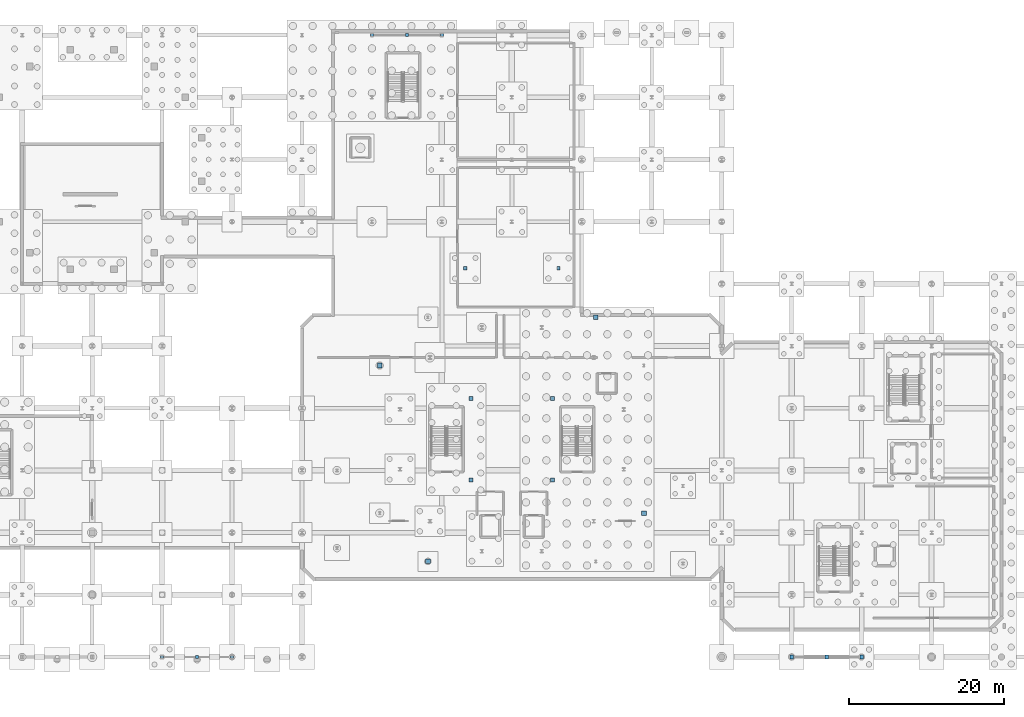
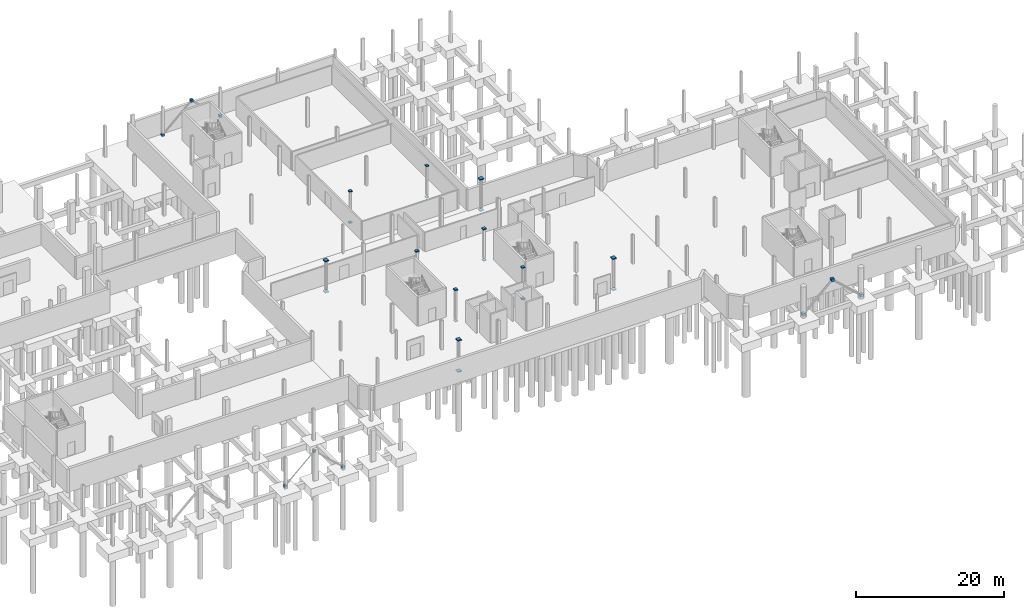
# One storey, part 32 of 37: 29 discrete accessories.
"""IFC4 building model written with IfcOpenShell, lengths in metres."""

from ifc_helpers import new_model, si_unit, direction, frame, origin, place, context, subcontext, project, spatial, polyline, outline, extrude, material, type_object, element, save


model = new_model("IFC4")

# Units and contexts
model_context = context("Model", 3, precision=1e-05, world=origin(), true_north=direction((0.0, 1.0)))
body_context = subcontext(model_context, "Body", "Model", "MODEL_VIEW")
ifc_project = project(units=[si_unit("LENGTHUNIT", "METRE"), si_unit("AREAUNIT", "SQUARE_METRE"), si_unit("VOLUMEUNIT", "CUBIC_METRE"), si_unit("PLANEANGLEUNIT", "RADIAN"), si_unit("MASSUNIT", "GRAM", prefix="KILO"), si_unit("THERMODYNAMICTEMPERATUREUNIT", "KELVIN"), si_unit("POWERUNIT", "WATT")], contexts=[model_context])

# Site, building, storey
site_placement = place(None, origin())
site = spatial("IfcSite", under=ifc_project, at=site_placement, CompositionType="ELEMENT")
building_placement = place(site_placement, origin())
building = spatial("IfcBuilding", under=site, at=building_placement, Name="Zelmaris Science Centre", CompositionType="ELEMENT")
storey_placement = place(building_placement, frame((0.0, 0.0, -4.800048828125)))
storey = spatial("IfcBuildingStorey", under=building, at=storey_placement, Name="B1", CompositionType="ELEMENT", Elevation=-4.800048828125)

# Discrete accessories
ifc_material = material(Name="Steel ASTM A500 Grade C", Category="steel")
discrete_accessory_type = type_object("IfcDiscreteAccessoryType", Name="Hollow Section End Cap Plate BK-ECP", PredefinedType="BRACKET", material=ifc_material)
discrete_accessory_1_placement = place(storey_placement, frame((0.0, 0.0, -0.43505859375)))
element("IfcDiscreteAccessory", 1, at=discrete_accessory_1_placement, inside=storey, type_object=discrete_accessory_type, Name="End cap plate 1", PredefinedType="BRACKET", context=body_context, shape_type="SweptSolid", body=[
    extrude(outline(polyline([(75.502197265625, 30.502197265625), (75.997802734375, 30.502197265625), (75.997802734375, 30.997802734375), (75.502197265625, 30.997802734375), (75.502197265625, 30.502197265625)])), origin(), (0.0, 0.0, 1.0), 0.158203125),
])
discrete_accessory_2_placement = place(storey_placement, frame((0.0, 0.0, 4.72705078125)))
element("IfcDiscreteAccessory", 2, at=discrete_accessory_2_placement, inside=storey, type_object=discrete_accessory_type, Name="End cap plate 2", PredefinedType="BRACKET", context=body_context, shape_type="SweptSolid", body=[
    extrude(outline(polyline([(75.502197265625, 30.502197265625), (75.997802734375, 30.502197265625), (75.997802734375, 30.997802734375), (75.502197265625, 30.997802734375), (75.502197265625, 30.502197265625)])), origin(), (0.0, 0.0, 1.0), 0.157958984375),
])
discrete_accessory_3_placement = place(storey_placement, frame((0.0, 0.0, -0.43505859375)))
element("IfcDiscreteAccessory", 3, at=discrete_accessory_3_placement, inside=storey, type_object=discrete_accessory_type, Name="End cap plate 9", PredefinedType="BRACKET", context=body_context, shape_type="SweptSolid", body=[
    extrude(outline(polyline([(86.002197265625, 30.502197265625), (86.497802734375, 30.502197265625), (86.497802734375, 30.997802734375), (86.002197265625, 30.997802734375), (86.002197265625, 30.502197265625)])), origin(), (0.0, 0.0, 1.0), 0.158203125),
])
discrete_accessory_4_placement = place(storey_placement, frame((0.0, 0.0, 4.72705078125)))
element("IfcDiscreteAccessory", 4, at=discrete_accessory_4_placement, inside=storey, type_object=discrete_accessory_type, Name="End cap plate 10", PredefinedType="BRACKET", context=body_context, shape_type="SweptSolid", body=[
    extrude(outline(polyline([(86.002197265625, 30.502197265625), (86.497802734375, 30.502197265625), (86.497802734375, 30.997802734375), (86.002197265625, 30.997802734375), (86.002197265625, 30.502197265625)])), origin(), (0.0, 0.0, 1.0), 0.157958984375),
])
discrete_accessory_5_placement = place(storey_placement, frame((0.0, 0.0, -0.43505859375)))
element("IfcDiscreteAccessory", 5, at=discrete_accessory_5_placement, inside=storey, type_object=discrete_accessory_type, Name="End cap plate 17", PredefinedType="BRACKET", context=body_context, shape_type="SweptSolid", body=[
    extrude(outline(polyline([(86.002197265625, 41.002197265625), (86.497802734375, 41.002197265625), (86.497802734375, 41.497802734375), (86.002197265625, 41.497802734375), (86.002197265625, 41.002197265625)])), origin(), (0.0, 0.0, 1.0), 0.158203125),
])
discrete_accessory_6_placement = place(storey_placement, frame((0.0, 0.0, 4.72705078125)))
element("IfcDiscreteAccessory", 6, at=discrete_accessory_6_placement, inside=storey, type_object=discrete_accessory_type, Name="End cap plate 18", PredefinedType="BRACKET", context=body_context, shape_type="SweptSolid", body=[
    extrude(outline(polyline([(86.002197265625, 41.002197265625), (86.497802734375, 41.002197265625), (86.497802734375, 41.497802734375), (86.002197265625, 41.497802734375), (86.002197265625, 41.002197265625)])), origin(), (0.0, 0.0, 1.0), 0.157958984375),
])
discrete_accessory_7_placement = place(storey_placement, frame((0.0, 0.0, -0.43505859375)))
element("IfcDiscreteAccessory", 7, at=discrete_accessory_7_placement, inside=storey, type_object=discrete_accessory_type, Name="End cap plate 25", PredefinedType="BRACKET", context=body_context, shape_type="SweptSolid", body=[
    extrude(outline(polyline([(75.502197265625, 41.002197265625), (75.997802734375, 41.002197265625), (75.997802734375, 41.497802734375), (75.502197265625, 41.497802734375), (75.502197265625, 41.002197265625)])), origin(), (0.0, 0.0, 1.0), 0.158203125),
])
discrete_accessory_8_placement = place(storey_placement, frame((0.0, 0.0, 4.72705078125)))
element("IfcDiscreteAccessory", 8, at=discrete_accessory_8_placement, inside=storey, type_object=discrete_accessory_type, Name="End cap plate 26", PredefinedType="BRACKET", context=body_context, shape_type="SweptSolid", body=[
    extrude(outline(polyline([(75.502197265625, 41.002197265625), (75.997802734375, 41.002197265625), (75.997802734375, 41.497802734375), (75.502197265625, 41.497802734375), (75.502197265625, 41.002197265625)])), origin(), (0.0, 0.0, 1.0), 0.157958984375),
])
discrete_accessory_9_placement = place(storey_placement, frame((0.0, 0.0, -0.43505859375)))
element("IfcDiscreteAccessory", 9, at=discrete_accessory_9_placement, inside=storey, type_object=discrete_accessory_type, Name="End cap plate 33", PredefinedType="BRACKET", context=body_context, shape_type="SweptSolid", body=[
    extrude(outline(polyline([(69.8955078125, 19.995361328125), (70.504638671875, 19.995361328125), (70.504638671875, 20.6044921875), (69.8955078125, 20.6044921875), (69.8955078125, 19.995361328125)])), origin(), (0.0, 0.0, 1.0), 0.158203125),
])
discrete_accessory_10_placement = place(storey_placement, frame((0.0, 0.0, 4.72705078125)))
element("IfcDiscreteAccessory", 10, at=discrete_accessory_10_placement, inside=storey, type_object=discrete_accessory_type, Name="End cap plate 34", PredefinedType="BRACKET", context=body_context, shape_type="SweptSolid", body=[
    extrude(outline(polyline([(69.8955078125, 19.995361328125), (70.504638671875, 19.995361328125), (70.504638671875, 20.6044921875), (69.8955078125, 20.6044921875), (69.8955078125, 19.995361328125)])), origin(), (0.0, 0.0, 1.0), 0.157958984375),
])
discrete_accessory_11_placement = place(storey_placement, frame((0.0, 0.0, -0.43505859375)))
element("IfcDiscreteAccessory", 11, at=discrete_accessory_11_placement, inside=storey, type_object=discrete_accessory_type, Name="End cap plate 35", PredefinedType="BRACKET", context=body_context, shape_type="SweptSolid", body=[
    extrude(outline(polyline([(97.6953125, 26.1953125), (98.3046875, 26.1953125), (98.3046875, 26.8046875), (97.6953125, 26.8046875), (97.6953125, 26.1953125)])), origin(), (0.0, 0.0, 1.0), 0.158203125),
])
discrete_accessory_12_placement = place(storey_placement, frame((0.0, 0.0, 4.72705078125)))
element("IfcDiscreteAccessory", 12, at=discrete_accessory_12_placement, inside=storey, type_object=discrete_accessory_type, Name="End cap plate 36", PredefinedType="BRACKET", context=body_context, shape_type="SweptSolid", body=[
    extrude(outline(polyline([(97.6953125, 26.1953125), (98.3046875, 26.1953125), (98.3046875, 26.8046875), (97.6953125, 26.8046875), (97.6953125, 26.1953125)])), origin(), (0.0, 0.0, 1.0), 0.157958984375),
])
discrete_accessory_13_placement = place(storey_placement, frame((0.0, 0.0, -0.43505859375)))
element("IfcDiscreteAccessory", 13, at=discrete_accessory_13_placement, inside=storey, type_object=discrete_accessory_type, Name="End cap plate 37", PredefinedType="BRACKET", context=body_context, shape_type="SweptSolid", body=[
    extrude(outline(polyline([(91.495361328125, 51.3955078125), (92.1044921875, 51.3955078125), (92.1044921875, 52.004638671875), (91.495361328125, 52.004638671875), (91.495361328125, 51.3955078125)])), origin(), (0.0, 0.0, 1.0), 0.158203125),
])
discrete_accessory_14_placement = place(storey_placement, frame((0.0, 0.0, 4.72705078125)))
element("IfcDiscreteAccessory", 14, at=discrete_accessory_14_placement, inside=storey, type_object=discrete_accessory_type, Name="End cap plate 38", PredefinedType="BRACKET", context=body_context, shape_type="SweptSolid", body=[
    extrude(outline(polyline([(91.495361328125, 51.3955078125), (92.1044921875, 51.3955078125), (92.1044921875, 52.004638671875), (91.495361328125, 52.004638671875), (91.495361328125, 51.3955078125)])), origin(), (0.0, 0.0, 1.0), 0.157958984375),
])
discrete_accessory_15_placement = place(storey_placement, frame((0.0, 0.0, -0.43505859375)))
element("IfcDiscreteAccessory", 15, at=discrete_accessory_15_placement, inside=storey, type_object=discrete_accessory_type, Name="End cap plate 39", PredefinedType="BRACKET", context=body_context, shape_type="SweptSolid", body=[
    extrude(outline(polyline([(63.6953125, 45.1953125), (64.3046875, 45.1953125), (64.3046875, 45.8046875), (63.6953125, 45.8046875), (63.6953125, 45.1953125)])), origin(), (0.0, 0.0, 1.0), 0.158203125),
])
discrete_accessory_16_placement = place(storey_placement, frame((0.0, 0.0, 4.72705078125)))
element("IfcDiscreteAccessory", 16, at=discrete_accessory_16_placement, inside=storey, type_object=discrete_accessory_type, Name="End cap plate 40", PredefinedType="BRACKET", context=body_context, shape_type="SweptSolid", body=[
    extrude(outline(polyline([(63.6953125, 45.1953125), (64.3046875, 45.1953125), (64.3046875, 45.8046875), (63.6953125, 45.8046875), (63.6953125, 45.1953125)])), origin(), (0.0, 0.0, 1.0), 0.157958984375),
])
discrete_accessory_17_placement = place(storey_placement, frame((0.0, 0.0, -0.43505859375)))
element("IfcDiscreteAccessory", 17, at=discrete_accessory_17_placement, inside=storey, type_object=discrete_accessory_type, Name="End cap plate 41", PredefinedType="BRACKET", context=body_context, shape_type="SweptSolid", body=[
    extrude(outline(polyline([(74.78076171875, 57.78076171875), (75.21923828125, 57.78076171875), (75.21923828125, 58.21923828125), (74.78076171875, 58.21923828125), (74.78076171875, 57.78076171875)])), origin(), (0.0, 0.0, 1.0), 0.158203125),
])
discrete_accessory_18_placement = place(storey_placement, frame((0.0, 0.0, 4.72705078125)))
element("IfcDiscreteAccessory", 18, at=discrete_accessory_18_placement, inside=storey, type_object=discrete_accessory_type, Name="End cap plate 42", PredefinedType="BRACKET", context=body_context, shape_type="SweptSolid", body=[
    extrude(outline(polyline([(74.78076171875, 57.78076171875), (75.21923828125, 57.78076171875), (75.21923828125, 58.21923828125), (74.78076171875, 58.21923828125), (74.78076171875, 57.78076171875)])), origin(), (0.0, 0.0, 1.0), 0.157958984375),
])
discrete_accessory_19_placement = place(storey_placement, frame((0.0, 0.0, -0.43505859375)))
element("IfcDiscreteAccessory", 19, at=discrete_accessory_19_placement, inside=storey, type_object=discrete_accessory_type, Name="End cap plate 49", PredefinedType="BRACKET", context=body_context, shape_type="SweptSolid", body=[
    extrude(outline(polyline([(86.78076171875, 57.78076171875), (87.21923828125, 57.78076171875), (87.21923828125, 58.21923828125), (86.78076171875, 58.21923828125), (86.78076171875, 57.78076171875)])), origin(), (0.0, 0.0, 1.0), 0.158203125),
])
discrete_accessory_20_placement = place(storey_placement, frame((0.0, 0.0, 4.72705078125)))
element("IfcDiscreteAccessory", 20, at=discrete_accessory_20_placement, inside=storey, type_object=discrete_accessory_type, Name="End cap plate 50", PredefinedType="BRACKET", context=body_context, shape_type="SweptSolid", body=[
    extrude(outline(polyline([(86.78076171875, 57.78076171875), (87.21923828125, 57.78076171875), (87.21923828125, 58.21923828125), (86.78076171875, 58.21923828125), (86.78076171875, 57.78076171875)])), origin(), (0.0, 0.0, 1.0), 0.157958984375),
])
discrete_accessory_21_placement = place(storey_placement, frame((0.0, 0.0, -0.113037109375)))
element("IfcDiscreteAccessory", 21, at=discrete_accessory_21_placement, inside=storey, type_object=discrete_accessory_type, Name="End cap plate 563", PredefinedType="BRACKET", context=body_context, shape_type="SweptSolid", body=[
    extrude(outline(polyline([(35.806640625, 7.81103515625), (36.1845703125, 7.81103515625), (36.1845703125, 8.18896484375), (35.806640625, 8.18896484375), (35.806640625, 7.81103515625)])), origin(), (0.0, 0.0, 1.0), 0.3779296875),
])
discrete_accessory_22_placement = place(storey_placement, frame((0.0, 0.0, 4.01513671875)))
element("IfcDiscreteAccessory", 22, at=discrete_accessory_22_placement, inside=storey, type_object=discrete_accessory_type, Name="End cap plate 564", PredefinedType="BRACKET", context=body_context, shape_type="SweptSolid", body=[
    extrude(outline(polyline([(40.3154296875, 7.81103515625), (40.693359375, 7.81103515625), (40.693359375, 8.18896484375), (40.3154296875, 8.18896484375), (40.3154296875, 7.81103515625)])), origin(), (0.0, 0.0, 1.0), 0.3779296875),
])
discrete_accessory_23_placement = place(storey_placement, frame((0.0, 0.0, -0.113037109375)))
element("IfcDiscreteAccessory", 23, at=discrete_accessory_23_placement, inside=storey, type_object=discrete_accessory_type, Name="End cap plate 565", PredefinedType="BRACKET", context=body_context, shape_type="SweptSolid", body=[
    extrude(outline(polyline([(44.8154296875, 7.81103515625), (45.193359375, 7.81103515625), (45.193359375, 8.18896484375), (44.8154296875, 8.18896484375), (44.8154296875, 7.81103515625)])), origin(), (0.0, 0.0, 1.0), 0.3779296875),
])
discrete_accessory_24_placement = place(storey_placement, frame((0.0, 0.0, -0.154052734375)))
element("IfcDiscreteAccessory", 24, at=discrete_accessory_24_placement, inside=storey, type_object=discrete_accessory_type, Name="End cap plate 572", PredefinedType="BRACKET", context=body_context, shape_type="SweptSolid", body=[
    extrude(outline(polyline([(116.765625, 7.77001953125), (117.2255859375, 7.77001953125), (117.2255859375, 8.22998046875), (116.765625, 8.22998046875), (116.765625, 7.77001953125)])), origin(), (0.0, 0.0, 1.0), 0.4599609375),
])
discrete_accessory_25_placement = place(storey_placement, frame((0.0, 0.0, 3.974365234375)))
element("IfcDiscreteAccessory", 25, at=discrete_accessory_25_placement, inside=storey, type_object=discrete_accessory_type, Name="End cap plate 573", PredefinedType="BRACKET", context=body_context, shape_type="SweptSolid", body=[
    extrude(outline(polyline([(121.2744140625, 7.77001953125), (121.734375, 7.77001953125), (121.734375, 8.22998046875), (121.2744140625, 8.22998046875), (121.2744140625, 7.77001953125)])), origin(), (0.0, 0.0, 1.0), 0.459716796875),
])
discrete_accessory_26_placement = place(storey_placement, frame((0.0, 0.0, -0.154052734375)))
element("IfcDiscreteAccessory", 26, at=discrete_accessory_26_placement, inside=storey, type_object=discrete_accessory_type, Name="End cap plate 574", PredefinedType="BRACKET", context=body_context, shape_type="SweptSolid", body=[
    extrude(outline(polyline([(125.7744140625, 7.77001953125), (126.234375, 7.77001953125), (126.234375, 8.22998046875), (125.7744140625, 8.22998046875), (125.7744140625, 7.77001953125)])), origin(), (0.0, 0.0, 1.0), 0.4599609375),
])
discrete_accessory_27_placement = place(storey_placement, frame((0.0, 0.0, -0.123779296875)))
element("IfcDiscreteAccessory", 27, at=discrete_accessory_27_placement, inside=storey, type_object=discrete_accessory_type, Name="End cap plate 575", PredefinedType="BRACKET", context=body_context, shape_type="SweptSolid", body=[
    extrude(outline(polyline([(62.7958984375, 87.80029296875), (63.1953125, 87.80029296875), (63.1953125, 88.19970703125), (62.7958984375, 88.19970703125), (62.7958984375, 87.80029296875)])), origin(), (0.0, 0.0, 1.0), 0.3994140625),
])
discrete_accessory_28_placement = place(storey_placement, frame((0.0, 0.0, 4.00439453125)))
element("IfcDiscreteAccessory", 28, at=discrete_accessory_28_placement, inside=storey, type_object=discrete_accessory_type, Name="End cap plate 576", PredefinedType="BRACKET", context=body_context, shape_type="SweptSolid", body=[
    extrude(outline(polyline([(67.3046875, 87.80029296875), (67.7041015625, 87.80029296875), (67.7041015625, 88.19970703125), (67.3046875, 88.19970703125), (67.3046875, 87.80029296875)])), origin(), (0.0, 0.0, 1.0), 0.3994140625),
])
discrete_accessory_29_placement = place(storey_placement, frame((0.0, 0.0, -0.123779296875)))
element("IfcDiscreteAccessory", 29, at=discrete_accessory_29_placement, inside=storey, type_object=discrete_accessory_type, Name="End cap plate 577", PredefinedType="BRACKET", context=body_context, shape_type="SweptSolid", body=[
    extrude(outline(polyline([(71.8046875, 87.80029296875), (72.2041015625, 87.80029296875), (72.2041015625, 88.19970703125), (71.8046875, 88.19970703125), (71.8046875, 87.80029296875)])), origin(), (0.0, 0.0, 1.0), 0.3994140625),
])

save(model, "model.ifc")
